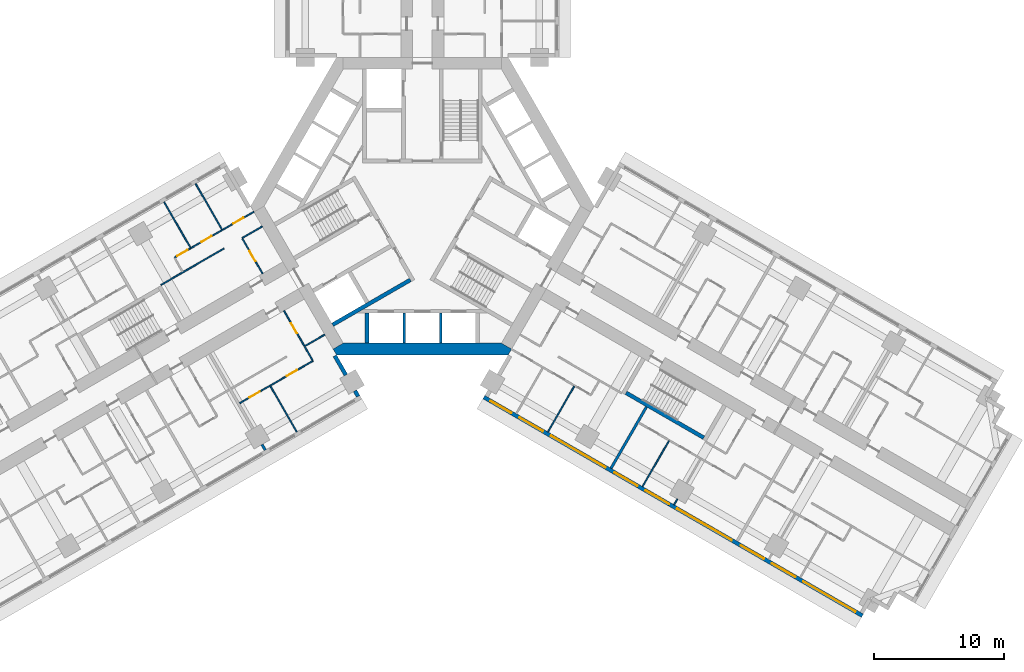
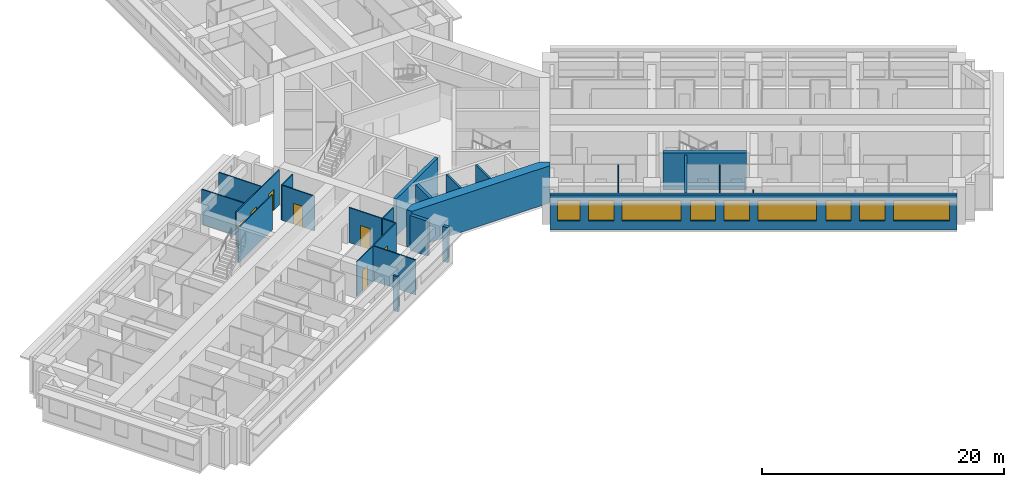
# One storey, part 6 of 16: 25 walls, 9 windows, 7 doors, 16 openings.
"""IFC4 building model written with IfcOpenShell, lengths in metres."""

from ifc_helpers import new_model, si_unit, direction, frame, frame_2d, origin, place, context, subcontext, project, spatial, polyline, rectangle, outline, extrude, material, layer, layer_set, type_object, element, fill, save


model = new_model("IFC4")

# Units and contexts
model_context = context("Model", 3, precision=1e-05, world=origin(), true_north=direction((0.0, 1.0)))
body_context = subcontext(model_context, "Body", "Model", "MODEL_VIEW")
ifc_project = project(units=[si_unit("LENGTHUNIT", "METRE"), si_unit("AREAUNIT", "SQUARE_METRE"), si_unit("VOLUMEUNIT", "CUBIC_METRE"), si_unit("PLANEANGLEUNIT", "RADIAN"), si_unit("MASSUNIT", "GRAM", prefix="KILO")], contexts=[model_context])

# Site, building, storey
site_placement = place(None, origin())
site = spatial("IfcSite", under=ifc_project, at=site_placement, CompositionType="ELEMENT")
building_placement = place(site_placement, origin())
building = spatial("IfcBuilding", under=site, at=building_placement, Name="Impinga Residences", CompositionType="ELEMENT")
storey_placement = place(building_placement, frame((0.0, 0.0, 67.25)))
storey = spatial("IfcBuildingStorey", under=building, at=storey_placement, Name="L16", CompositionType="ELEMENT", Elevation=67.25)

# Wall, openings, windows
ifc_material_1 = material(Name="Terracotta rainscreen on blockwork", Category="masonry")
ifc_layer_1 = layer(ifc_material_1, 0.300048828125)
ifc_layer_set_1 = layer_set([ifc_layer_1], Name="EW1 external wall, terracotta rainscreen on blockwork 300")
wall_type_1 = type_object("IfcWallType", Name="EW1 external wall, terracotta rainscreen on blockwork 300", PredefinedType="SOLIDWALL", material=ifc_layer_set_1)
wall_1_placement = place(storey_placement, frame((33.823486328125, -31.479248046875, 0.0), z_axis=(0.0, 0.0, 1.0), x_axis=(-0.866024291668, 0.500001926238, 0.0)))
wall_1 = element("IfcWall", 1, at=wall_1_placement, inside=storey, type_object=wall_type_1, Name="External wall EW1 L16", PredefinedType="SOLIDWALL", context=body_context, shape_type="SweptSolid", body=[
    extrude(rectangle(XDim=33.599853515625, YDim=0.300048828125, at=frame_2d((16.7998046875, 0.0))), origin(), (0.0, 0.0, 1.0), 3.530029296875),
])
opening_1_placement = place(wall_1_placement, frame((0.60009765625, 0.0, 0.89990234375)))
opening_1 = element("IfcOpeningElement", 2, at=opening_1_placement, cuts=wall_1, Name="Opening W10", PredefinedType="OPENING", context=body_context, shape_type="SweptSolid", body=[
    extrude(rectangle(XDim=4.64990234375, YDim=2.050048828125, at=frame_2d((2.324951171875, 1.02490234375))), frame((0.0, 0.159912109375, 0.0), z_axis=(0.0, -1.0, 0.0), x_axis=(1.0, 0.0, 0.0)), (0.0, 0.0, 1.0), 0.320068359375),
])
opening_2_placement = place(wall_1_placement, frame((5.949951171875, 0.0, 0.89990234375)))
opening_2 = element("IfcOpeningElement", 3, at=opening_2_placement, cuts=wall_1, Name="Opening W9", PredefinedType="OPENING", context=body_context, shape_type="SweptSolid", body=[
    extrude(rectangle(XDim=2.10009765625, YDim=2.050048828125, at=frame_2d((1.050048828125, 1.02490234375))), frame((0.0, 0.159912109375, 0.0), z_axis=(0.0, -1.0, 0.0), x_axis=(1.0, 0.0, 0.0)), (0.0, 0.0, 1.0), 0.320068359375),
])
opening_3_placement = place(wall_1_placement, frame((8.75, 0.0, 0.89990234375)))
opening_3 = element("IfcOpeningElement", 4, at=opening_3_placement, cuts=wall_1, Name="Opening W14", PredefinedType="OPENING", context=body_context, shape_type="SweptSolid", body=[
    extrude(rectangle(XDim=2.050048828125, YDim=2.050048828125, at=frame_2d((1.02490234375, 1.02490234375))), frame((0.0, 0.159912109375, 0.0), z_axis=(0.0, -1.0, 0.0), x_axis=(1.0, 0.0, 0.0)), (0.0, 0.0, 1.0), 0.320068359375),
])
opening_4_placement = place(wall_1_placement, frame((11.60009765625, 0.0, 0.89990234375)))
opening_4 = element("IfcOpeningElement", 5, at=opening_4_placement, cuts=wall_1, Name="Opening W6", PredefinedType="OPENING", context=body_context, shape_type="SweptSolid", body=[
    extrude(rectangle(XDim=4.85009765625, YDim=2.050048828125, at=frame_2d((2.425048828125, 1.02490234375))), frame((0.0, 0.159912109375, 0.0), z_axis=(0.0, -1.0, 0.0), x_axis=(1.0, 0.0, 0.0)), (0.0, 0.0, 1.0), 0.320068359375),
])
opening_5_placement = place(wall_1_placement, frame((17.14990234375, 0.0, 0.89990234375)))
opening_5 = element("IfcOpeningElement", 6, at=opening_5_placement, cuts=wall_1, Name="Opening W9", PredefinedType="OPENING", context=body_context, shape_type="SweptSolid", body=[
    extrude(rectangle(XDim=2.10009765625, YDim=2.050048828125, at=frame_2d((1.050048828125, 1.02490234375))), frame((0.0, 0.159912109375, 0.0), z_axis=(0.0, -1.0, 0.0), x_axis=(1.0, 0.0, 0.0)), (0.0, 0.0, 1.0), 0.320068359375),
])
opening_6_placement = place(wall_1_placement, frame((19.949951171875, 0.0, 0.89990234375)))
opening_6 = element("IfcOpeningElement", 7, at=opening_6_placement, cuts=wall_1, Name="Opening W14", PredefinedType="OPENING", context=body_context, shape_type="SweptSolid", body=[
    extrude(rectangle(XDim=2.050048828125, YDim=2.050048828125, at=frame_2d((1.02490234375, 1.02490234375))), frame((0.0, 0.159912109375, 0.0), z_axis=(0.0, -1.0, 0.0), x_axis=(1.0, 0.0, 0.0)), (0.0, 0.0, 1.0), 0.320068359375),
])
opening_7_placement = place(wall_1_placement, frame((22.800048828125, 0.0, 0.89990234375)))
opening_7 = element("IfcOpeningElement", 8, at=opening_7_placement, cuts=wall_1, Name="Opening W6", PredefinedType="OPENING", context=body_context, shape_type="SweptSolid", body=[
    extrude(rectangle(XDim=4.85009765625, YDim=2.050048828125, at=frame_2d((2.425048828125, 1.02490234375))), frame((0.0, 0.159912109375, 0.0), z_axis=(0.0, -1.0, 0.0), x_axis=(1.0, 0.0, 0.0)), (0.0, 0.0, 1.0), 0.320068359375),
])
opening_8_placement = place(wall_1_placement, frame((28.35009765625, 0.0, 0.89990234375)))
opening_8 = element("IfcOpeningElement", 9, at=opening_8_placement, cuts=wall_1, Name="Opening W9", PredefinedType="OPENING", context=body_context, shape_type="SweptSolid", body=[
    extrude(rectangle(XDim=2.10009765625, YDim=2.050048828125, at=frame_2d((1.050048828125, 1.02490234375))), frame((0.0, 0.159912109375, 0.0), z_axis=(0.0, -1.0, 0.0), x_axis=(1.0, 0.0, 0.0)), (0.0, 0.0, 1.0), 0.320068359375),
])
opening_9_placement = place(wall_1_placement, frame((31.14990234375, 0.0, 0.89990234375)))
opening_9 = element("IfcOpeningElement", 10, at=opening_9_placement, cuts=wall_1, Name="Opening W15", PredefinedType="OPENING", context=body_context, shape_type="SweptSolid", body=[
    extrude(rectangle(XDim=1.85009765625, YDim=2.050048828125, at=frame_2d((0.925048828125, 1.02490234375))), frame((0.0, 0.159912109375, 0.0), z_axis=(0.0, -1.0, 0.0), x_axis=(1.0, 0.0, 0.0)), (0.0, 0.0, 1.0), 0.320068359375),
])
ifc_material_2 = material(Name="Aluminium window, clear double glazing", Category="aluminium")
window_type_1 = type_object("IfcWindowType", Name="W10 ribbon window 4650x2050", PartitioningType="SINGLE_PANEL", PredefinedType="WINDOW", material=ifc_material_2)
window_1_placement = place(opening_1_placement, origin())
window_1 = element("IfcWindow", 11, at=window_1_placement, inside=storey, type_object=window_type_1, Name="Window L16", OverallHeight=2.050048828125, OverallWidth=4.64990234375, PartitioningType="SINGLE_PANEL", PredefinedType="WINDOW", context=body_context, shape_type="SweptSolid", body=[
    extrude(rectangle(XDim=4.64990234375, YDim=2.050048828125, at=frame_2d((2.324951171875, 1.02490234375))), frame((0.0, 0.030029296875, 0.0), z_axis=(0.0, -1.0, 0.0), x_axis=(1.0, 0.0, 0.0)), (0.0, 0.0, 1.0), 0.06005859375),
])
fill(opening_1, window_1)
window_type_2 = type_object("IfcWindowType", Name="W14 ribbon window 2050x2050", PartitioningType="SINGLE_PANEL", PredefinedType="WINDOW", material=ifc_material_2)
window_2_placement = place(opening_3_placement, origin())
window_2 = element("IfcWindow", 12, at=window_2_placement, inside=storey, type_object=window_type_2, Name="Window L16", OverallHeight=2.050048828125, OverallWidth=2.050048828125, PartitioningType="SINGLE_PANEL", PredefinedType="WINDOW", context=body_context, shape_type="SweptSolid", body=[
    extrude(rectangle(XDim=2.050048828125, YDim=2.050048828125, at=frame_2d((1.02490234375, 1.02490234375))), frame((0.0, 0.030029296875, 0.0), z_axis=(0.0, -1.0, 0.0), x_axis=(1.0, 0.0, 0.0)), (0.0, 0.0, 1.0), 0.06005859375),
])
fill(opening_3, window_2)
window_3_placement = place(opening_6_placement, origin())
window_3 = element("IfcWindow", 13, at=window_3_placement, inside=storey, type_object=window_type_2, Name="Window L16", OverallHeight=2.050048828125, OverallWidth=2.050048828125, PartitioningType="SINGLE_PANEL", PredefinedType="WINDOW", context=body_context, shape_type="SweptSolid", body=[
    extrude(rectangle(XDim=2.050048828125, YDim=2.050048828125, at=frame_2d((1.02490234375, 1.02490234375))), frame((0.0, 0.030029296875, 0.0), z_axis=(0.0, -1.0, 0.0), x_axis=(1.0, 0.0, 0.0)), (0.0, 0.0, 1.0), 0.06005859375),
])
fill(opening_6, window_3)
window_type_3 = type_object("IfcWindowType", Name="W15 ribbon window 1850x2050", PartitioningType="SINGLE_PANEL", PredefinedType="WINDOW", material=ifc_material_2)
window_4_placement = place(opening_9_placement, origin())
window_4 = element("IfcWindow", 14, at=window_4_placement, inside=storey, type_object=window_type_3, Name="Window L16", OverallHeight=2.050048828125, OverallWidth=1.85009765625, PartitioningType="SINGLE_PANEL", PredefinedType="WINDOW", context=body_context, shape_type="SweptSolid", body=[
    extrude(rectangle(XDim=1.85009765625, YDim=2.050048828125, at=frame_2d((0.925048828125, 1.02490234375))), frame((0.0, 0.030029296875, 0.0), z_axis=(0.0, -1.0, 0.0), x_axis=(1.0, 0.0, 0.0)), (0.0, 0.0, 1.0), 0.06005859375),
])
fill(opening_9, window_4)
window_type_4 = type_object("IfcWindowType", Name="W6 ribbon window 4850x2050", PartitioningType="SINGLE_PANEL", PredefinedType="WINDOW", material=ifc_material_2)
window_5_placement = place(opening_4_placement, origin())
window_5 = element("IfcWindow", 15, at=window_5_placement, inside=storey, type_object=window_type_4, Name="Window L16", OverallHeight=2.050048828125, OverallWidth=4.85009765625, PartitioningType="SINGLE_PANEL", PredefinedType="WINDOW", context=body_context, shape_type="SweptSolid", body=[
    extrude(rectangle(XDim=4.85009765625, YDim=2.050048828125, at=frame_2d((2.425048828125, 1.02490234375))), frame((0.0, 0.030029296875, 0.0), z_axis=(0.0, -1.0, 0.0), x_axis=(1.0, 0.0, 0.0)), (0.0, 0.0, 1.0), 0.06005859375),
])
fill(opening_4, window_5)
window_6_placement = place(opening_7_placement, origin())
window_6 = element("IfcWindow", 16, at=window_6_placement, inside=storey, type_object=window_type_4, Name="Window L16", OverallHeight=2.050048828125, OverallWidth=4.85009765625, PartitioningType="SINGLE_PANEL", PredefinedType="WINDOW", context=body_context, shape_type="SweptSolid", body=[
    extrude(rectangle(XDim=4.85009765625, YDim=2.050048828125, at=frame_2d((2.425048828125, 1.02490234375))), frame((0.0, 0.030029296875, 0.0), z_axis=(0.0, -1.0, 0.0), x_axis=(1.0, 0.0, 0.0)), (0.0, 0.0, 1.0), 0.06005859375),
])
fill(opening_7, window_6)
window_type_5 = type_object("IfcWindowType", Name="W9 ribbon window 2100x2050", PartitioningType="SINGLE_PANEL", PredefinedType="WINDOW", material=ifc_material_2)
window_7_placement = place(opening_2_placement, origin())
window_7 = element("IfcWindow", 17, at=window_7_placement, inside=storey, type_object=window_type_5, Name="Window L16", OverallHeight=2.050048828125, OverallWidth=2.10009765625, PartitioningType="SINGLE_PANEL", PredefinedType="WINDOW", context=body_context, shape_type="SweptSolid", body=[
    extrude(rectangle(XDim=2.10009765625, YDim=2.050048828125, at=frame_2d((1.050048828125, 1.02490234375))), frame((0.0, 0.030029296875, 0.0), z_axis=(0.0, -1.0, 0.0), x_axis=(1.0, 0.0, 0.0)), (0.0, 0.0, 1.0), 0.06005859375),
])
fill(opening_2, window_7)
window_8_placement = place(opening_5_placement, origin())
window_8 = element("IfcWindow", 18, at=window_8_placement, inside=storey, type_object=window_type_5, Name="Window L16", OverallHeight=2.050048828125, OverallWidth=2.10009765625, PartitioningType="SINGLE_PANEL", PredefinedType="WINDOW", context=body_context, shape_type="SweptSolid", body=[
    extrude(rectangle(XDim=2.10009765625, YDim=2.050048828125, at=frame_2d((1.050048828125, 1.02490234375))), frame((0.0, 0.030029296875, 0.0), z_axis=(0.0, -1.0, 0.0), x_axis=(1.0, 0.0, 0.0)), (0.0, 0.0, 1.0), 0.06005859375),
])
fill(opening_5, window_8)
window_9_placement = place(opening_8_placement, origin())
window_9 = element("IfcWindow", 19, at=window_9_placement, inside=storey, type_object=window_type_5, Name="Window L16", OverallHeight=2.050048828125, OverallWidth=2.10009765625, PartitioningType="SINGLE_PANEL", PredefinedType="WINDOW", context=body_context, shape_type="SweptSolid", body=[
    extrude(rectangle(XDim=2.10009765625, YDim=2.050048828125, at=frame_2d((1.050048828125, 1.02490234375))), frame((0.0, 0.030029296875, 0.0), z_axis=(0.0, -1.0, 0.0), x_axis=(1.0, 0.0, 0.0)), (0.0, 0.0, 1.0), 0.06005859375),
])
fill(opening_8, window_9)

# Walls
wall_2_placement = place(storey_placement, frame((-6.72998046875, -11.506591796875, 0.0), z_axis=(0.0, 0.0, 1.0), x_axis=(0.500062241894, -0.865989465428, 0.0)))
element("IfcWall", 20, at=wall_2_placement, inside=storey, type_object=wall_type_1, Name="External wall EW1 L16", PredefinedType="SOLIDWALL", context=body_context, shape_type="SweptSolid", body=[
    extrude(rectangle(XDim=1.699951171875, YDim=0.300048828125, at=frame_2d((0.85009765625, 0.0))), origin(), (0.0, 0.0, 1.0), 3.530029296875),
])
wall_3_placement = place(storey_placement, frame((-5.179931640625, -14.191162109375, 0.0), z_axis=(0.0, 0.0, 1.0), x_axis=(0.499919672301, -0.866071776036, 0.0)))
element("IfcWall", 21, at=wall_3_placement, inside=storey, type_object=wall_type_1, Name="External wall EW1 L16", PredefinedType="SOLIDWALL", context=body_context, shape_type="SweptSolid", body=[
    extrude(rectangle(XDim=0.5, YDim=0.300048828125, at=frame_2d((0.25, 0.0))), origin(), (0.0, 0.0, 1.0), 3.530029296875),
])
ifc_material_3 = material(Name="Gypsum board on steel studs", Category="steel")
ifc_layer_2 = layer(ifc_material_3, 0.10009765625)
ifc_layer_set_2 = layer_set([ifc_layer_2], Name="Gypsum board on steel studs")
wall_type_2 = type_object("IfcWallType", Name="IP1 partition 100", PredefinedType="PARTITIONING", material=ifc_layer_set_2)
wall_4_placement = place(storey_placement, frame((-7.5, -9.872802734375, 0.0), z_axis=(0.0, 0.0, 1.0), x_axis=(-0.866047807691, -0.499961193289, 0.0)))
element("IfcWall", 22, at=wall_4_placement, inside=storey, type_object=wall_type_2, Name="Partition L16-WA1:DIV0", PredefinedType="PARTITIONING", context=body_context, shape_type="SweptSolid", body=[
    extrude(rectangle(XDim=1.800048828125, YDim=0.10009765625, at=frame_2d((0.89990234375, 0.0))), origin(), (0.0, 0.0, 1.0), 3.530029296875),
])

# Wall, openings, doors
wall_5_placement = place(storey_placement, frame((-8.408935546875, -11.8984375, 0.0), z_axis=(0.0, 0.0, 1.0), x_axis=(-0.866024837091, -0.50000098154, 0.0)))
wall_5 = element("IfcWall", 23, at=wall_5_placement, inside=storey, type_object=wall_type_2, Name="Partition L16-WA1:STRIP", PredefinedType="PARTITIONING", context=body_context, shape_type="SweptSolid", body=[
    extrude(rectangle(XDim=6.5, YDim=0.10009765625, at=frame_2d((3.25, 0.0))), origin(), (0.0, 0.0, 1.0), 3.530029296875),
])
opening_10_placement = place(wall_5_placement, frame((1.425048828125, 0.0, 0.0)))
opening_10 = element("IfcOpeningElement", 24, at=opening_10_placement, cuts=wall_5, Name="Opening D2", PredefinedType="OPENING", context=body_context, shape_type="SweptSolid", body=[
    extrude(rectangle(XDim=0.89990234375, YDim=2.10009765625, at=frame_2d((0.449951171875, 1.050048828125))), frame((0.0, 0.06005859375, 0.0), z_axis=(0.0, -1.0, 0.0), x_axis=(1.0, 0.0, 0.0)), (0.0, 0.0, 1.0), 0.1201171875),
])
opening_11_placement = place(wall_5_placement, frame((4.72509765625, 0.0, 0.0)))
opening_11 = element("IfcOpeningElement", 25, at=opening_11_placement, cuts=wall_5, Name="Opening D2", PredefinedType="OPENING", context=body_context, shape_type="SweptSolid", body=[
    extrude(rectangle(XDim=0.89990234375, YDim=2.10009765625, at=frame_2d((0.449951171875, 1.050048828125))), frame((0.0, 0.06005859375, 0.0), z_axis=(0.0, -1.0, 0.0), x_axis=(1.0, 0.0, 0.0)), (0.0, 0.0, 1.0), 0.1201171875),
])
ifc_material_4 = material(Name="Timber door set", Category="wood")
door_type = type_object("IfcDoorType", Name="D2 internal door 900x2100", OperationType="SINGLE_SWING_LEFT", PredefinedType="DOOR", material=ifc_material_4)
door_1_placement = place(opening_10_placement, origin())
door_1 = element("IfcDoor", 26, at=door_1_placement, inside=storey, type_object=door_type, Name="Apartment L16-WA1 room door", OperationType="SINGLE_SWING_LEFT", OverallHeight=2.10009765625, OverallWidth=0.89990234375, PredefinedType="DOOR", context=body_context, shape_type="SweptSolid", body=[
    extrude(rectangle(XDim=0.89990234375, YDim=2.10009765625, at=frame_2d((0.449951171875, 1.050048828125))), frame((0.0, 0.02490234375, 0.0), z_axis=(0.0, -1.0, 0.0), x_axis=(1.0, 0.0, 0.0)), (0.0, 0.0, 1.0), 0.050048828125),
])
fill(opening_10, door_1)
door_2_placement = place(opening_11_placement, origin())
door_2 = element("IfcDoor", 27, at=door_2_placement, inside=storey, type_object=door_type, Name="Apartment L16-WA1 room door", OperationType="SINGLE_SWING_RIGHT", OverallHeight=2.10009765625, OverallWidth=0.89990234375, PredefinedType="DOOR", context=body_context, shape_type="SweptSolid", body=[
    extrude(rectangle(XDim=0.89990234375, YDim=2.10009765625, at=frame_2d((0.449951171875, 1.050048828125))), frame((0.0, 0.02490234375, 0.0), z_axis=(0.0, -1.0, 0.0), x_axis=(1.0, 0.0, 0.0)), (0.0, 0.0, 1.0), 0.050048828125),
])
fill(opening_11, door_2)

# Wall
wall_6_placement = place(storey_placement, frame((-9.033935546875, -10.81591796875, 0.0), z_axis=(0.0, 0.0, 1.0), x_axis=(0.500033551112, -0.866006032174, 0.0)))
element("IfcWall", 28, at=wall_6_placement, inside=storey, type_object=wall_type_2, Name="Partition L16-WA1:SE0", PredefinedType="PARTITIONING", context=body_context, shape_type="SweptSolid", body=[
    extrude(rectangle(XDim=1.2001953125, YDim=0.10009765625, at=frame_2d((0.60009765625, 0.0))), origin(), (0.0, 0.0, 1.0), 3.530029296875),
])

# Wall, opening, door
wall_7_placement = place(storey_placement, frame((-10.6337890625, -8.044677734375, 0.0), z_axis=(0.0, 0.0, 1.0), x_axis=(0.49999285859, -0.86602952684, 0.0)))
wall_7 = element("IfcWall", 29, at=wall_7_placement, inside=storey, type_object=wall_type_2, Name="Partition L16-WA1:IB1", PredefinedType="PARTITIONING", context=body_context, shape_type="SweptSolid", body=[
    extrude(rectangle(XDim=3.10009765625, YDim=0.10009765625, at=frame_2d((1.550048828125, 0.0))), origin(), (0.0, 0.0, 1.0), 3.530029296875),
])
opening_12_placement = place(wall_7_placement, frame((1.10009765625, 0.0, 0.0)))
opening_12 = element("IfcOpeningElement", 30, at=opening_12_placement, cuts=wall_7, Name="Opening D2", PredefinedType="OPENING", context=body_context, shape_type="SweptSolid", body=[
    extrude(rectangle(XDim=0.89990234375, YDim=2.10009765625, at=frame_2d((0.449951171875, 1.050048828125))), frame((0.0, 0.06005859375, 0.0), z_axis=(0.0, -1.0, 0.0), x_axis=(1.0, 0.0, 0.0)), (0.0, 0.0, 1.0), 0.1201171875),
])
door_3_placement = place(opening_12_placement, origin())
door_3 = element("IfcDoor", 31, at=door_3_placement, inside=storey, type_object=door_type, Name="Apartment L16-WA1 bathroom door", OperationType="SINGLE_SWING_LEFT", OverallHeight=2.10009765625, OverallWidth=0.89990234375, PredefinedType="DOOR", context=body_context, shape_type="SweptSolid", body=[
    extrude(rectangle(XDim=0.89990234375, YDim=2.10009765625, at=frame_2d((0.449951171875, 1.050048828125))), frame((0.0, 0.02490234375, 0.0), z_axis=(0.0, -1.0, 0.0), x_axis=(1.0, 0.0, 0.0)), (0.0, 0.0, 1.0), 0.050048828125),
])
fill(opening_12, door_3)

# Walls
wall_8_placement = place(storey_placement, frame((-11.6748046875, -13.841796875, 0.0), z_axis=(0.0, 0.0, 1.0), x_axis=(0.500035537042, -0.866004885491, 0.0)))
element("IfcWall", 32, at=wall_8_placement, inside=storey, type_object=wall_type_2, Name="Partition L16-WA1:OB1", PredefinedType="PARTITIONING", context=body_context, shape_type="SweptSolid", body=[
    extrude(rectangle(XDim=4.050048828125, YDim=0.10009765625, at=frame_2d((2.02490234375, 0.0))), origin(), (0.0, 0.0, 1.0), 3.530029296875),
])
wall_9_placement = place(storey_placement, frame((-12.300048828125, -1.558837890625, 0.0), z_axis=(0.0, 0.0, 1.0), x_axis=(-0.866047807691, -0.499961193289, 0.0)))
element("IfcWall", 33, at=wall_9_placement, inside=storey, type_object=wall_type_2, Name="Partition L16-WF1:DIV0", PredefinedType="PARTITIONING", context=body_context, shape_type="SweptSolid", body=[
    extrude(rectangle(XDim=1.800048828125, YDim=0.10009765625, at=frame_2d((0.89990234375, 0.0))), origin(), (0.0, 0.0, 1.0), 3.530029296875),
])
wall_10_placement = place(storey_placement, frame((-15.244384765625, -3.2587890625, 0.0), z_axis=(0.0, 0.0, 1.0), x_axis=(-0.866026594901, -0.49999793692, 0.0)))
element("IfcWall", 34, at=wall_10_placement, inside=storey, type_object=wall_type_2, Name="Partition L16-WF1:DIV1", PredefinedType="PARTITIONING", context=body_context, shape_type="SweptSolid", body=[
    extrude(rectangle(XDim=5.60009765625, YDim=0.10009765625, at=frame_2d((2.800048828125, 0.0))), origin(), (0.0, 0.0, 1.0), 3.530029296875),
])

# Wall, openings, doors
wall_11_placement = place(storey_placement, frame((-12.949951171875, -0.43310546875, 0.0), z_axis=(0.0, 0.0, 1.0), x_axis=(-0.866031034943, -0.499990246421, 0.0)))
wall_11 = element("IfcWall", 35, at=wall_11_placement, inside=storey, type_object=wall_type_2, Name="Partition L16-WF1:STRIP", PredefinedType="PARTITIONING", context=body_context, shape_type="SweptSolid", body=[
    extrude(rectangle(XDim=7.050048828125, YDim=0.10009765625, at=frame_2d((3.52490234375, 0.0))), origin(), (0.0, 0.0, 1.0), 3.530029296875),
])
opening_13_placement = place(wall_11_placement, frame((0.925048828125, 0.0, 0.0)))
opening_13 = element("IfcOpeningElement", 36, at=opening_13_placement, cuts=wall_11, Name="Opening D2", PredefinedType="OPENING", context=body_context, shape_type="SweptSolid", body=[
    extrude(rectangle(XDim=0.89990234375, YDim=2.10009765625, at=frame_2d((0.449951171875, 1.050048828125))), frame((0.0, 0.06005859375, 0.0), z_axis=(0.0, -1.0, 0.0), x_axis=(1.0, 0.0, 0.0)), (0.0, 0.0, 1.0), 0.1201171875),
])
opening_14_placement = place(wall_11_placement, frame((3.75, 0.0, 0.0)))
opening_14 = element("IfcOpeningElement", 37, at=opening_14_placement, cuts=wall_11, Name="Opening D2", PredefinedType="OPENING", context=body_context, shape_type="SweptSolid", body=[
    extrude(rectangle(XDim=0.89990234375, YDim=2.10009765625, at=frame_2d((0.449951171875, 1.050048828125))), frame((0.0, 0.06005859375, 0.0), z_axis=(0.0, -1.0, 0.0), x_axis=(1.0, 0.0, 0.0)), (0.0, 0.0, 1.0), 0.1201171875),
])
opening_15_placement = place(wall_11_placement, frame((5.89990234375, 0.0, 0.0)))
opening_15 = element("IfcOpeningElement", 38, at=opening_15_placement, cuts=wall_11, Name="Opening D2", PredefinedType="OPENING", context=body_context, shape_type="SweptSolid", body=[
    extrude(rectangle(XDim=0.89990234375, YDim=2.10009765625, at=frame_2d((0.449951171875, 1.050048828125))), frame((0.0, 0.06005859375, 0.0), z_axis=(0.0, -1.0, 0.0), x_axis=(1.0, 0.0, 0.0)), (0.0, 0.0, 1.0), 0.1201171875),
])
door_4_placement = place(opening_13_placement, origin())
door_4 = element("IfcDoor", 39, at=door_4_placement, inside=storey, type_object=door_type, Name="Apartment L16-WF1 room door", OperationType="SINGLE_SWING_LEFT", OverallHeight=2.10009765625, OverallWidth=0.89990234375, PredefinedType="DOOR", context=body_context, shape_type="SweptSolid", body=[
    extrude(rectangle(XDim=0.89990234375, YDim=2.10009765625, at=frame_2d((0.449951171875, 1.050048828125))), frame((0.0, 0.02490234375, 0.0), z_axis=(0.0, -1.0, 0.0), x_axis=(1.0, 0.0, 0.0)), (0.0, 0.0, 1.0), 0.050048828125),
])
fill(opening_13, door_4)
door_5_placement = place(opening_14_placement, origin())
door_5 = element("IfcDoor", 40, at=door_5_placement, inside=storey, type_object=door_type, Name="Apartment L16-WF1 room door", OperationType="SINGLE_SWING_RIGHT", OverallHeight=2.10009765625, OverallWidth=0.89990234375, PredefinedType="DOOR", context=body_context, shape_type="SweptSolid", body=[
    extrude(rectangle(XDim=0.89990234375, YDim=2.10009765625, at=frame_2d((0.449951171875, 1.050048828125))), frame((0.0, 0.02490234375, 0.0), z_axis=(0.0, -1.0, 0.0), x_axis=(1.0, 0.0, 0.0)), (0.0, 0.0, 1.0), 0.050048828125),
])
fill(opening_14, door_5)
door_6_placement = place(opening_15_placement, origin())
door_6 = element("IfcDoor", 41, at=door_6_placement, inside=storey, type_object=door_type, Name="Apartment L16-WF1 room door", OperationType="SINGLE_SWING_RIGHT", OverallHeight=2.10009765625, OverallWidth=0.89990234375, PredefinedType="DOOR", context=body_context, shape_type="SweptSolid", body=[
    extrude(rectangle(XDim=0.89990234375, YDim=2.10009765625, at=frame_2d((0.449951171875, 1.050048828125))), frame((0.0, 0.02490234375, 0.0), z_axis=(0.0, -1.0, 0.0), x_axis=(1.0, 0.0, 0.0)), (0.0, 0.0, 1.0), 0.050048828125),
])
fill(opening_15, door_6)

# Wall, opening, door
wall_12_placement = place(storey_placement, frame((-12.283935546875, -5.186767578125, 0.0), z_axis=(0.0, 0.0, 1.0), x_axis=(-0.499967891604, 0.866043940782, 0.0)))
wall_12 = element("IfcWall", 42, at=wall_12_placement, inside=storey, type_object=wall_type_2, Name="Partition L16-WF1:IB1", PredefinedType="PARTITIONING", context=body_context, shape_type="SweptSolid", body=[
    extrude(rectangle(XDim=3.099853515625, YDim=0.10009765625, at=frame_2d((1.5498046875, 0.0))), origin(), (0.0, 0.0, 1.0), 3.530029296875),
])
opening_16_placement = place(wall_12_placement, frame((1.10009765625, 0.0, 0.0)))
opening_16 = element("IfcOpeningElement", 43, at=opening_16_placement, cuts=wall_12, Name="Opening D2", PredefinedType="OPENING", context=body_context, shape_type="SweptSolid", body=[
    extrude(rectangle(XDim=0.89990234375, YDim=2.10009765625, at=frame_2d((0.449951171875, 1.050048828125))), frame((0.0, 0.06005859375, 0.0), z_axis=(0.0, -1.0, 0.0), x_axis=(1.0, 0.0, 0.0)), (0.0, 0.0, 1.0), 0.1201171875),
])
door_7_placement = place(opening_16_placement, origin())
door_7 = element("IfcDoor", 44, at=door_7_placement, inside=storey, type_object=door_type, Name="Apartment L16-WF1 bathroom door", OperationType="SINGLE_SWING_LEFT", OverallHeight=2.10009765625, OverallWidth=0.89990234375, PredefinedType="DOOR", context=body_context, shape_type="SweptSolid", body=[
    extrude(rectangle(XDim=0.89990234375, YDim=2.10009765625, at=frame_2d((0.449951171875, 1.050048828125))), frame((0.0, 0.02490234375, 0.0), z_axis=(0.0, -1.0, 0.0), x_axis=(1.0, 0.0, 0.0)), (0.0, 0.0, 1.0), 0.050048828125),
])
fill(opening_16, door_7)

# Walls
for number, where, z_axis, x_axis, name in (
    (45, (-15.39990234375, -1.789794921875, 0.0), (0.0, 0.0, 1.0), (-0.499964223975, 0.866046058097, 0.0), "Partition L16-WF1:OB1"),
    (46, (-17.82470703125, -3.189697265625, 0.0), (0.0, 0.0, 1.0), (-0.500035537042, 0.866004885491, 0.0), "Partition L16-WF1:OB2"),
    (47, (11.6748046875, -13.841796875, 0.0), (0.0, 0.0, 1.0), (-0.500035537042, -0.866004885491, 0.0), "Partition L16-EF1:OB2"),
):
    element("IfcWall", number, at=place(storey_placement, frame(where, z_axis=z_axis, x_axis=x_axis)), inside=storey, type_object=wall_type_2, Name=name, PredefinedType="PARTITIONING", context=body_context, shape_type="SweptSolid", body=[
        extrude(rectangle(XDim=4.050048828125, YDim=0.10009765625, at=frame_2d((2.02490234375, 0.0))), origin(), (0.0, 0.0, 1.0), 3.530029296875),
    ])
wall_13_placement = place(storey_placement, frame((18.949462890625, -18.041748046875, 0.0), z_axis=(0.0, 0.0, 1.0), x_axis=(-0.50000943426, -0.866019956843, 0.0)))
element("IfcWall", 48, at=wall_13_placement, inside=storey, type_object=wall_type_2, Name="Partition L16-EF2:OB1", PredefinedType="PARTITIONING", context=body_context, shape_type="SweptSolid", body=[
    extrude(rectangle(XDim=4.05029296875, YDim=0.10009765625, at=frame_2d((2.025146484375, 0.0))), origin(), (0.0, 0.0, 1.0), 3.530029296875),
])
wall_14_placement = place(storey_placement, frame((19.59912109375, -22.51611328125, 0.0), z_axis=(0.0, 0.0, 1.0), x_axis=(-0.499919672301, -0.866071776036, 0.0)))
element("IfcWall", 49, at=wall_14_placement, inside=storey, type_object=wall_type_2, Name="Partition L16-EF2:OB2b", PredefinedType="PARTITIONING", context=body_context, shape_type="SweptSolid", body=[
    extrude(rectangle(XDim=0.5, YDim=0.10009765625, at=frame_2d((0.25, 0.0))), origin(), (0.0, 0.0, 1.0), 3.530029296875),
])
ifc_material_5 = material(Name="Concrete blockwork", Category="masonry")
ifc_layer_3 = layer(ifc_material_5, 0.199951171875)
ifc_layer_set_3 = layer_set([ifc_layer_3], Name="PW1 party wall between apartments 200")
wall_type_3 = type_object("IfcWallType", Name="PW1 party wall between apartments 200", PredefinedType="SOLIDWALL", material=ifc_layer_set_3)
wall_15_placement = place(storey_placement, frame((-12.32470703125, -18.316162109375, 0.0), z_axis=(0.0, 0.0, 1.0), x_axis=(0.499919672301, -0.866071776036, 0.0)))
element("IfcWall", 50, at=wall_15_placement, inside=storey, type_object=wall_type_3, Name="Party wall between apartments L16-WA1:PARTYb", PredefinedType="SOLIDWALL", context=body_context, shape_type="SweptSolid", body=[
    extrude(rectangle(XDim=0.5, YDim=0.199951171875, at=frame_2d((0.25, 0.0))), origin(), (0.0, 0.0, 1.0), 3.530029296875),
])
wall_16_placement = place(storey_placement, frame((17.224365234375, -15.429443359375, 0.0), z_axis=(0.0, 0.0, 1.0), x_axis=(-0.499988730927, -0.866031909889, 0.0)))
element("IfcWall", 51, at=wall_16_placement, inside=storey, type_object=wall_type_3, Name="Party wall between apartments L16-EF1:PARTY", PredefinedType="SOLIDWALL", context=body_context, shape_type="SweptSolid", body=[
    extrude(rectangle(XDim=5.449951171875, YDim=0.199951171875, at=frame_2d((2.72509765625, 0.0))), origin(), (0.0, 0.0, 1.0), 3.530029296875),
])
ifc_material_6 = material(Name="Concrete C60/75", Category="concrete")
ifc_layer_4 = layer(ifc_material_6, 0.300048828125)
ifc_layer_set_4 = layer_set([ifc_layer_4], Name="Concrete C60/75")
wall_type_4 = type_object("IfcWallType", Name="SE1 wing stair enclosure wall 300", PredefinedType="SOLIDWALL", material=ifc_layer_set_4)
wall_17_placement = place(storey_placement, frame((15.654052734375, -14.349365234375, 0.0), z_axis=(0.0, 0.0, 1.0), x_axis=(0.866013532718, -0.500020560727, 0.0)))
element("IfcWall", 52, at=wall_17_placement, inside=storey, type_object=wall_type_4, Name="Stair enclosure wall SE1 E OUT L16", PredefinedType="SOLIDWALL", context=body_context, shape_type="SweptSolid", body=[
    extrude(rectangle(XDim=6.900146484375, YDim=0.300048828125, at=frame_2d((3.4501953125, 0.0))), origin(), (0.0, 0.0, 1.0), 3.75),
])
ifc_material_7 = material(Name="Concrete C70/85", Category="concrete")
ifc_layer_5 = layer(ifc_material_7, 0.89990234375)
ifc_layer_set_5 = layer_set([ifc_layer_5], Name="Concrete C70/85")
wall_type_5 = type_object("IfcWallType", Name="SW1 core wall 900", PredefinedType="SHEAR", material=ifc_layer_set_5)
wall_18_placement = place(storey_placement, origin())
element("IfcWall", 53, at=wall_18_placement, inside=storey, type_object=wall_type_5, Name="Core wall SW1 N:EXPOSED L16", PredefinedType="SHEAR", context=body_context, shape_type="SweptSolid", body=[
    extrude(outline(polyline([(-6.60009765625, -11.431640625), (6.60009765625, -11.431640625), (6.85986328125, -10.9814453125), (6.080322265625, -10.531494140625), (-6.080322265625, -10.531494140625), (-6.85986328125, -10.9814453125), (-6.60009765625, -11.431640625)])), origin(), (0.0, 0.0, 1.0), 3.75),
])
ifc_layer_6 = layer(ifc_material_7, 0.300048828125)
ifc_layer_set_6 = layer_set([ifc_layer_6], Name="Concrete C70/85")
wall_type_6 = type_object("IfcWallType", Name="SW5 core inner wall, stairs, shafts and lobbies 300", PredefinedType="SHEAR", material=ifc_layer_set_6)
wall_19_placement = place(storey_placement, frame((-0.918701171875, -5.668701171875, 0.0), z_axis=(0.0, 0.0, 1.0), x_axis=(-0.866011800373, -0.500023561059, 0.0)))
element("IfcWall", 54, at=wall_19_placement, inside=storey, type_object=wall_type_6, Name="Core wall SW5 W:FF-OUT L16", PredefinedType="SHEAR", context=body_context, shape_type="SweptSolid", body=[
    extrude(rectangle(XDim=6.901611328125, YDim=0.300048828125, at=frame_2d((3.45068359375, 0.0))), origin(), (0.0, 0.0, 1.0), 3.75),
])
wall_20_placement = place(storey_placement, frame((-4.25, -8.2314453125, 0.0), z_axis=(0.0, 0.0, 1.0), x_axis=(0.0, -1.0, 0.0)))
element("IfcWall", 55, at=wall_20_placement, inside=storey, type_object=wall_type_6, Name="Core wall SW5 N:BANK-R L16", PredefinedType="SHEAR", context=body_context, shape_type="SweptSolid", body=[
    extrude(rectangle(XDim=2.300048828125, YDim=0.300048828125, at=frame_2d((1.14990234375, 0.0))), origin(), (0.0, 0.0, 1.0), 3.75),
])
ifc_layer_7 = layer(ifc_material_7, 0.199951171875)
ifc_layer_set_7 = layer_set([ifc_layer_7], Name="Concrete C70/85")
wall_type_7 = type_object("IfcWallType", Name="SW6 lift shaft divider wall 200", PredefinedType="SHEAR", material=ifc_layer_set_7)
for number, where, z_axis, x_axis, name in (
    (56, (1.39990234375, -8.2314453125, 0.0), (0.0, 0.0, 1.0), (0.0, -1.0, 0.0), "Core wall SW6 N:BANK-D1 L16"),
    (57, (-1.39990234375, -8.2314453125, 0.0), (0.0, 0.0, 1.0), (0.0, -1.0, 0.0), "Core wall SW6 N:BANK-D2 L16"),
):
    element("IfcWall", number, at=place(storey_placement, frame(where, z_axis=z_axis, x_axis=x_axis)), inside=storey, type_object=wall_type_7, Name=name, PredefinedType="SHEAR", context=body_context, shape_type="SweptSolid", body=[
        extrude(rectangle(XDim=2.300048828125, YDim=0.199951171875, at=frame_2d((1.14990234375, 0.0))), origin(), (0.0, 0.0, 1.0), 3.75),
    ])

save(model, "model.ifc")
